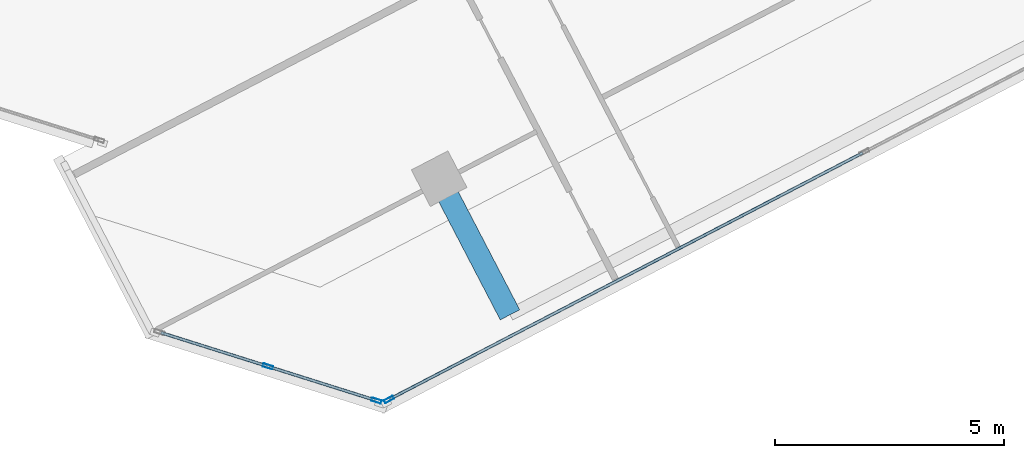
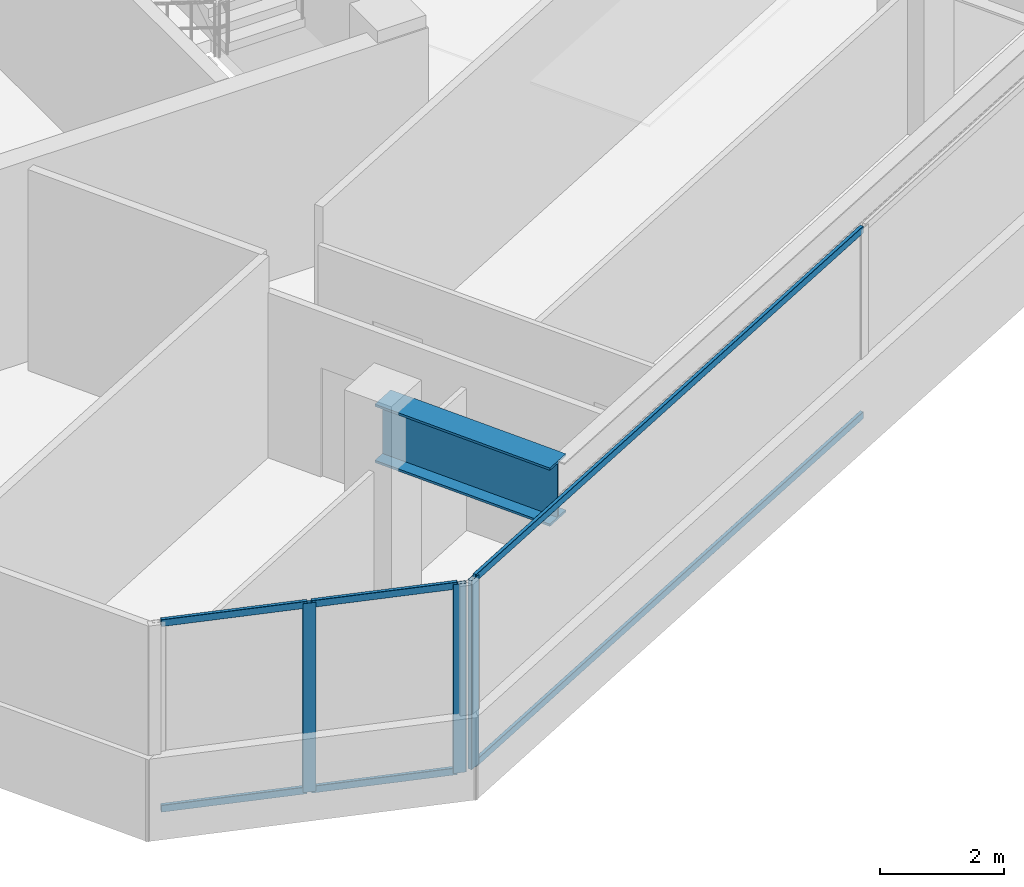
# One storey, part 3 of 16: 9 members, 1 beam, 2 elements without a shape of their own.
"""IFC4 building model written with IfcOpenShell, lengths in metres."""

from ifc_helpers import new_model, si_unit, direction, frame, origin, origin_2d, place, context, subcontext, project, spatial, hollow_rectangle, i_section, extrude, source, transform, mapped, material, material_profile, profile_set, type_object, element, aggregate, save


model = new_model("IFC4")

# Units and contexts
model_context = context("Model", 3, precision=1e-05, world=origin(), true_north=direction((0.0, 1.0)))
body_context = subcontext(model_context, "Body", "Model", "MODEL_VIEW")
ifc_project = project(units=[si_unit("LENGTHUNIT", "METRE"), si_unit("AREAUNIT", "SQUARE_METRE"), si_unit("VOLUMEUNIT", "CUBIC_METRE"), si_unit("PLANEANGLEUNIT", "RADIAN"), si_unit("MASSUNIT", "GRAM", prefix="KILO")], contexts=[model_context])

# Site, building, storey
site_placement = place(None, origin())
site = spatial("IfcSite", under=ifc_project, at=site_placement, CompositionType="ELEMENT")
building_placement = place(site_placement, origin())
building = spatial("IfcBuilding", under=site, at=building_placement, Name="Torre Montelarca", CompositionType="ELEMENT")
storey_placement = place(building_placement, frame((0.0, 0.0, 328.199951171875)))
storey = spatial("IfcBuildingStorey", under=building, at=storey_placement, Name="L74", CompositionType="ELEMENT", Elevation=328.199951171875)

# Beam
ifc_material_1 = material(Name="Steel ASTM A572 Grade 50", Category="steel")
ifc_material_profile_1 = material_profile(ifc_material_1, i_section(OverallWidth=0.47998046875, OverallDepth=1.14990234375, WebThickness=0.02197265625, FlangeThickness=0.044921875, at=origin_2d()), Name="PG1150X480X22X45", Category="steel")
ifc_profile_set_1 = profile_set([ifc_material_profile_1], Name="Steel ASTM A572 Grade 50")
beam_type = type_object("IfcBeamType", Name="BM-CG-PG1400-EXT", PredefinedType="USERDEFINED", material=ifc_profile_set_1)
shared_shape_1 = source(origin(), body_context, "Body", "SweptSolid", [
    extrude(i_section(OverallWidth=0.47998046875, OverallDepth=1.14990234375, WebThickness=0.02197265625, FlangeThickness=0.044921875, at=origin_2d()), origin(), (0.0, 0.0, 1.0), 3.349853515625),
])
beam_placement = place(storey_placement, frame((21.099365234375, 15.4443359375, 3.385009765625), z_axis=(0.461701502022, -0.887035356134, 0.0), x_axis=(0.887035356134, 0.461701502022, 0.0)))
element("IfcBeam", 1, at=beam_placement, inside=storey, type_object=beam_type, Name="L74 Sliding Tray Cantilever Girder East Y=24m (FLR)", ObjectType="CANTILEVER GIRDER", PredefinedType="USERDEFINED", context=body_context, shape_type="MappedRepresentation", body=[
    mapped(shared_shape_1, transform((0.0, 0.0, 0.0), scale=1.0)),
])

# Curtain wall, members
ifc_material_2 = material(Name="Insulated low-E laminated glass", Category="glass")
curtain_wall_type = type_object("IfcCurtainWallType", Name="CW-SYS-Z4", PredefinedType="USERDEFINED", material=ifc_material_2)
curtain_wall_1_placement = place(storey_placement, origin())
curtain_wall_1 = element("IfcCurtainWall", 2, at=curtain_wall_1_placement, inside=storey, type_object=curtain_wall_type, Name="L74 Curtain Wall Run CW-T3-L74-E05-B1", ObjectType="UNITISED GLAZING", PredefinedType="USERDEFINED")
ifc_material_3 = material(Name="Anodised aluminium AA 6063-T6", Category="aluminium")
ifc_material_profile_2 = material_profile(ifc_material_3, hollow_rectangle(XDim=0.074951171875, YDim=0.219970703125, WallThickness=0.0048828125, InnerFilletRadius=0.0048828125, OuterFilletRadius=0.010009765625, at=origin_2d()), Name="ALU75X220X5", Category="aluminium")
ifc_profile_set_2 = profile_set([ifc_material_profile_2], Name="Anodised aluminium AA 6063-T6")
member_type_1 = type_object("IfcMemberType", Name="CWM-ALU220", PredefinedType="MULLION", material=ifc_profile_set_2)
shared_shape_2 = source(origin(), body_context, "Body", "SweptSolid", [
    extrude(hollow_rectangle(XDim=0.074951171875, YDim=0.219970703125, WallThickness=0.0048828125, InnerFilletRadius=0.0048828125, OuterFilletRadius=0.010009765625, at=origin_2d()), origin(), (0.0, 0.0, 1.0), 3.719970703125),
])
member_1_placement = place(storey_placement, frame((17.360595703125, 11.34716796875, 0.0), z_axis=(0.0, 0.0, 1.0), x_axis=(0.300692834013, 0.953721038655, 0.0)))
member_1 = element("IfcMember", 3, at=member_1_placement, type_object=member_type_1, Name="CW mullion 2", PredefinedType="MULLION", context=body_context, shape_type="MappedRepresentation", body=[
    mapped(shared_shape_2, transform((0.0, 0.0, 0.0), scale=1.0)),
])
member_2_placement = place(storey_placement, frame((19.7294921875, 10.600341796875, 0.0), z_axis=(0.0, 0.0, 1.0), x_axis=(0.300692834013, 0.953721038655, 0.0)))
member_2 = element("IfcMember", 4, at=member_2_placement, type_object=member_type_1, Name="CW mullion 3", PredefinedType="MULLION", context=body_context, shape_type="MappedRepresentation", body=[
    mapped(shared_shape_2, transform((0.0, 0.0, 0.0), scale=1.0)),
])

# Curtain wall, member
curtain_wall_2_placement = place(storey_placement, origin())
curtain_wall_2 = element("IfcCurtainWall", 5, at=curtain_wall_2_placement, inside=storey, type_object=curtain_wall_type, Name="L74 Curtain Wall Run CW-T3-L74-E06-B1", ObjectType="UNITISED GLAZING", PredefinedType="USERDEFINED")
member_3_placement = place(storey_placement, frame((20.004638671875, 10.624267578125, 0.0), z_axis=(0.0, 0.0, 1.0), x_axis=(-0.461745658928, 0.887012371087, 0.0)))
member_3 = element("IfcMember", 6, at=member_3_placement, type_object=member_type_1, Name="CW mullion 1", PredefinedType="MULLION", context=body_context, shape_type="MappedRepresentation", body=[
    mapped(shared_shape_2, transform((0.0, 0.0, 0.0), scale=1.0)),
])

# Member
ifc_material_profile_3 = material_profile(ifc_material_3, hollow_rectangle(XDim=0.06494140625, YDim=0.139892578125, WallThickness=0.00390625, InnerFilletRadius=0.00390625, OuterFilletRadius=0.008056640625, at=origin_2d()), Name="ALU65X140X4", Category="aluminium")
ifc_profile_set_3 = profile_set([ifc_material_profile_3], Name="Anodised aluminium AA 6063-T6")
member_type_2 = type_object("IfcMemberType", Name="CWT-ALU140", PredefinedType="USERDEFINED", material=ifc_profile_set_3)
shared_shape_3 = source(origin(), body_context, "Body", "SweptSolid", [
    extrude(hollow_rectangle(XDim=0.06494140625, YDim=0.139892578125, WallThickness=0.00390625, InnerFilletRadius=0.00390625, OuterFilletRadius=0.008056640625, at=origin_2d()), origin(), (0.0, 0.0, 1.0), 2.40869140625),
])
member_4_placement = place(storey_placement, frame((15.02783203125, 12.082763671875, 0.032470703125), z_axis=(0.953706668557, -0.300738408504, 0.0), x_axis=(0.300738408504, 0.953706668557, 0.0)))
member_4 = element("IfcMember", 7, at=member_4_placement, type_object=member_type_2, Name="CW transom 1.1", ObjectType="TRANSOM", PredefinedType="USERDEFINED", context=body_context, shape_type="MappedRepresentation", body=[
    mapped(shared_shape_3, transform((0.0, 0.0, 0.0), scale=1.0)),
])

member_5_placement = place(storey_placement, frame((15.02783203125, 12.082763671875, 3.6875), z_axis=(0.953706668557, -0.300738408504, 0.0), x_axis=(0.300738408504, 0.953706668557, 0.0)))
member_5 = element("IfcMember", 8, at=member_5_placement, type_object=member_type_2, Name="CW transom 1.2", ObjectType="TRANSOM", PredefinedType="USERDEFINED", context=body_context, shape_type="MappedRepresentation", body=[
    mapped(shared_shape_3, transform((0.0, 0.0, 0.0), scale=1.0)),
])

member_6_placement = place(storey_placement, frame((17.396484375, 11.3359375, 0.032470703125), z_axis=(0.953706668557, -0.300738408504, 0.0), x_axis=(0.300738408504, 0.953706668557, 0.0)))
member_6 = element("IfcMember", 9, at=member_6_placement, type_object=member_type_2, Name="CW transom 2.1", ObjectType="TRANSOM", PredefinedType="USERDEFINED", context=body_context, shape_type="MappedRepresentation", body=[
    mapped(shared_shape_3, transform((0.0, 0.0, 0.0), scale=1.0)),
])

member_7_placement = place(storey_placement, frame((17.396484375, 11.3359375, 3.6875), z_axis=(0.953706668557, -0.300738408504, 0.0), x_axis=(0.300738408504, 0.953706668557, 0.0)))
member_7 = element("IfcMember", 10, at=member_7_placement, type_object=member_type_2, Name="CW transom 2.2", ObjectType="TRANSOM", PredefinedType="USERDEFINED", context=body_context, shape_type="MappedRepresentation", body=[
    mapped(shared_shape_3, transform((0.0, 0.0, 0.0), scale=1.0)),
])

aggregate(curtain_wall_1, [member_1, member_2, member_4, member_5, member_6, member_7])

shared_shape_4 = source(origin(), body_context, "Body", "SweptSolid", [
    extrude(hollow_rectangle(XDim=0.06494140625, YDim=0.139892578125, WallThickness=0.00390625, InnerFilletRadius=0.00390625, OuterFilletRadius=0.008056640625, at=origin_2d()), origin(), (0.0, 0.0, 1.0), 11.62158203125),
])
member_8_placement = place(storey_placement, frame((20.037841796875, 10.6416015625, 0.032470703125), z_axis=(0.887014473914, 0.461741619379, 0.0), x_axis=(-0.461741619379, 0.887014473914, 0.0)))
member_8 = element("IfcMember", 11, at=member_8_placement, type_object=member_type_2, Name="CW transom 1.1", ObjectType="TRANSOM", PredefinedType="USERDEFINED", context=body_context, shape_type="MappedRepresentation", body=[
    mapped(shared_shape_4, transform((0.0, 0.0, 0.0), scale=1.0)),
])

member_9_placement = place(storey_placement, frame((20.037841796875, 10.6416015625, 3.6875), z_axis=(0.887014473914, 0.461741619379, 0.0), x_axis=(-0.461741619379, 0.887014473914, 0.0)))
member_9 = element("IfcMember", 12, at=member_9_placement, type_object=member_type_2, Name="CW transom 1.2", ObjectType="TRANSOM", PredefinedType="USERDEFINED", context=body_context, shape_type="MappedRepresentation", body=[
    mapped(shared_shape_4, transform((0.0, 0.0, 0.0), scale=1.0)),
])

aggregate(curtain_wall_2, [member_3, member_8, member_9])

save(model, "model.ifc")
